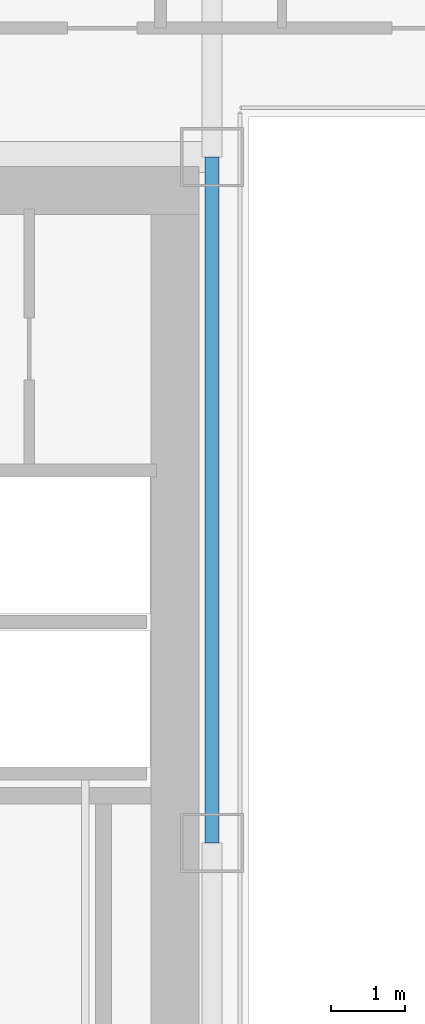
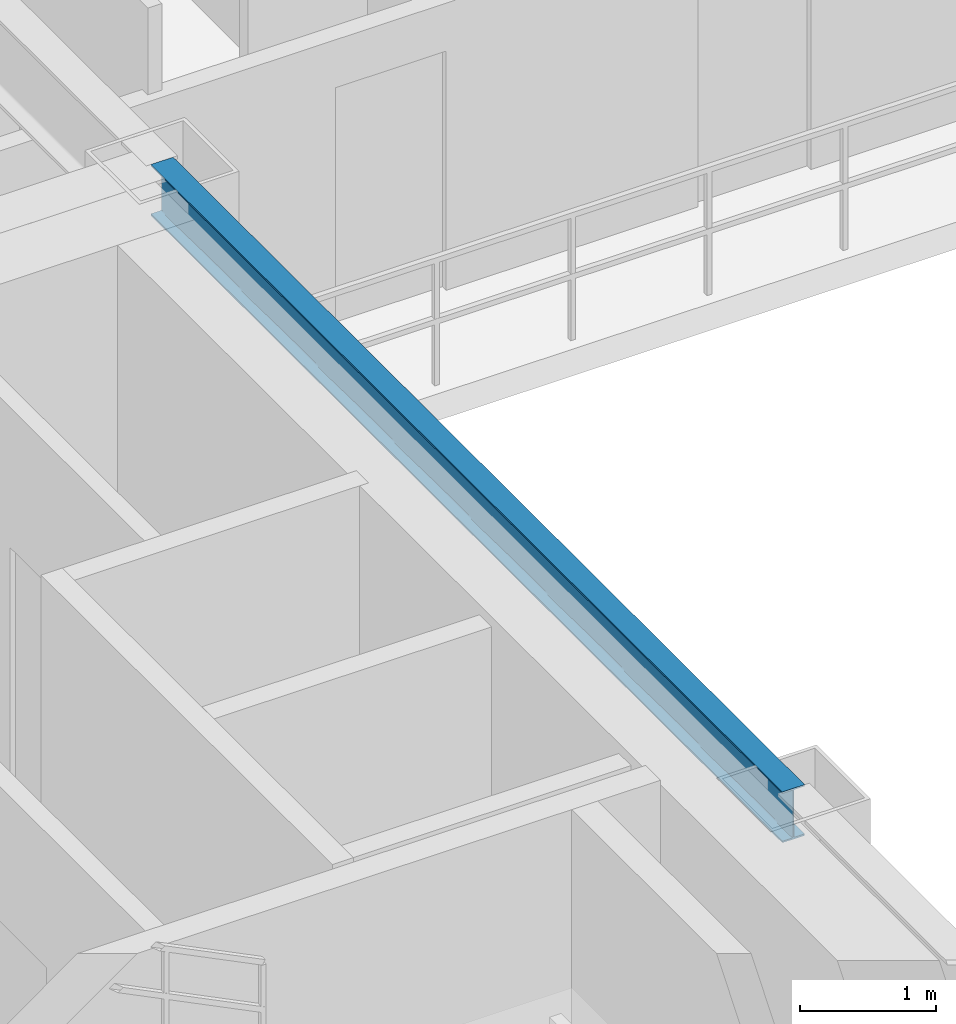
# One storey, part 9 of 36: 1 beam.
"""IFC4 building model written with IfcOpenShell, lengths in metres."""

from ifc_helpers import new_model, si_unit, direction, frame, origin, origin_2d, place, context, subcontext, project, spatial, i_section, extrude, source, transform, mapped, material, material_profile, profile_set, type_object, element, save


model = new_model("IFC4")

# Units and contexts
model_context = context("Model", 3, precision=1e-05, world=origin(), true_north=direction((0.0, 1.0)))
body_context = subcontext(model_context, "Body", "Model", "MODEL_VIEW")
ifc_project = project(units=[si_unit("LENGTHUNIT", "METRE"), si_unit("AREAUNIT", "SQUARE_METRE"), si_unit("VOLUMEUNIT", "CUBIC_METRE"), si_unit("PLANEANGLEUNIT", "RADIAN"), si_unit("MASSUNIT", "GRAM", prefix="KILO")], contexts=[model_context])

# Site, building, storey
site_placement = place(None, origin())
site = spatial("IfcSite", under=ifc_project, at=site_placement, CompositionType="ELEMENT")
building_placement = place(site_placement, origin())
building = spatial("IfcBuilding", under=site, at=building_placement, Name="Ocotamira Hotel", CompositionType="ELEMENT")
storey_placement = place(building_placement, frame((0.0, 0.0, 129.60009765625)))
storey = spatial("IfcBuildingStorey", under=building, at=storey_placement, Name="L32", CompositionType="ELEMENT", Elevation=129.60009765625)

# Beam
ifc_material = material(Name="Steel ASTM A992 Grade 50", Category="steel")
ifc_material_profile = material_profile(ifc_material, i_section(OverallWidth=0.18994140625, OverallDepth=0.45703125, WebThickness=0.009033203125, FlangeThickness=0.014404296875, FilletRadius=0.010009765625, at=origin_2d()), Name="W18X50")
ifc_profile_set = profile_set([ifc_material_profile], Name="Steel ASTM A992 Grade 50")
beam_type = type_object("IfcBeamType", Name="BM-SEC-W18X50", PredefinedType="JOIST", material=ifc_profile_set)
shared_shape = source(origin(), body_context, "Body", "SweptSolid", [
    extrude(i_section(OverallWidth=0.18994140625, OverallDepth=0.45703125, WebThickness=0.009033203125, FlangeThickness=0.014404296875, FilletRadius=0.010009765625, at=origin_2d()), origin(), (0.0, 0.0, 1.0), 9.300048828125),
])
beam_placement = place(storey_placement, frame((23.5, 28.14990234375, 3.13134765625), z_axis=(0.0, 1.0, 0.0), x_axis=(-1.0, 0.0, 0.0)))
element("IfcBeam", 1, at=beam_placement, inside=storey, type_object=beam_type, Name="L32 Beam X23.5 Y28.15-37.45", PredefinedType="JOIST", context=body_context, shape_type="MappedRepresentation", body=[
    mapped(shared_shape, transform((0.0, 0.0, 0.0), scale=1.0)),
])

save(model, "model.ifc")
